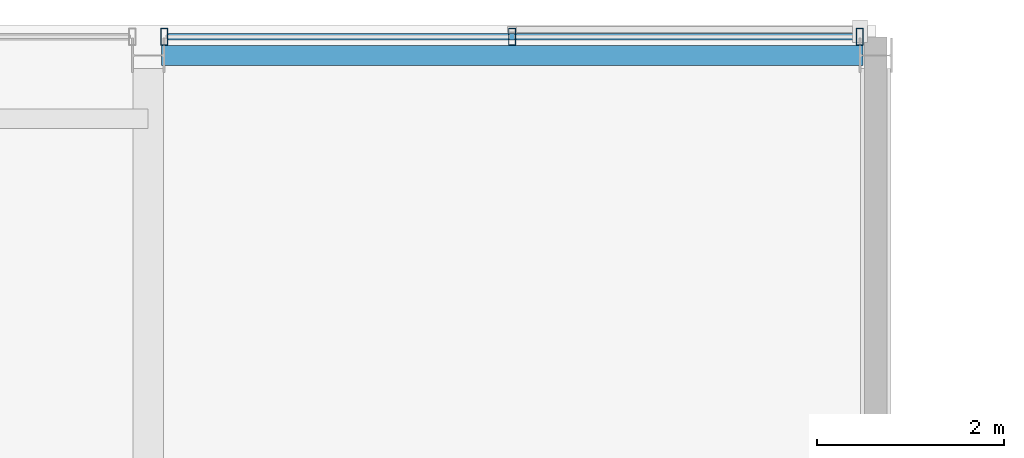
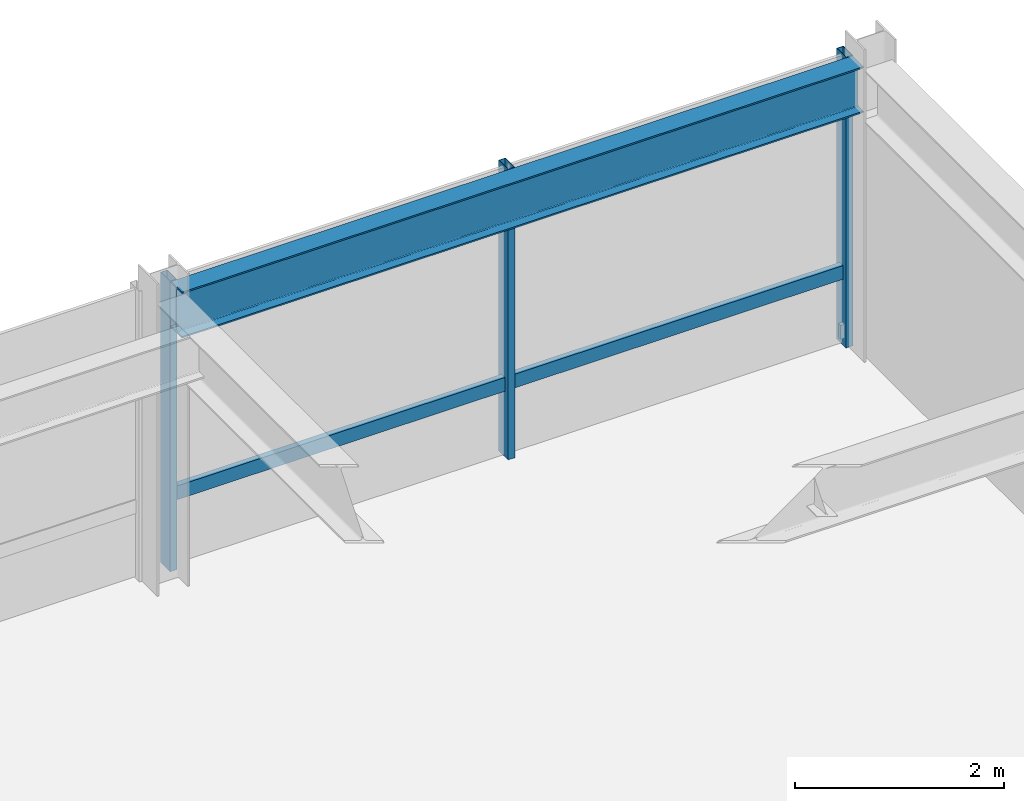
# One storey, part 26 of 33: 4 members, 1 beam, 1 element without a shape of its own.
"""IFC4 building model written with IfcOpenShell, lengths in metres."""

from ifc_helpers import new_model, si_unit, direction, frame, origin, origin_2d, place, context, subcontext, project, spatial, hollow_rectangle, i_section, extrude, material, layer, layer_set, material_profile, profile_set, type_object, element, aggregate, save


model = new_model("IFC4")

# Units and contexts
model_context = context("Model", 3, precision=1e-05, world=origin(), true_north=direction((0.0, 1.0)))
body_context = subcontext(model_context, "Body", "Model", "MODEL_VIEW")
ifc_project = project(units=[si_unit("LENGTHUNIT", "METRE"), si_unit("AREAUNIT", "SQUARE_METRE"), si_unit("VOLUMEUNIT", "CUBIC_METRE"), si_unit("PLANEANGLEUNIT", "RADIAN"), si_unit("MASSUNIT", "GRAM", prefix="KILO")], contexts=[model_context])

# Site, building, storey
site_placement = place(None, origin())
site = spatial("IfcSite", under=ifc_project, at=site_placement, CompositionType="ELEMENT")
building_placement = place(site_placement, origin())
building = spatial("IfcBuilding", under=site, at=building_placement, Name="Drelvath Grand Hotel", CompositionType="ELEMENT")
storey_placement = place(building_placement, frame((0.0, 0.0, 283.25)))
storey = spatial("IfcBuildingStorey", under=building, at=storey_placement, Name="L74", CompositionType="ELEMENT", Elevation=283.25)

# Curtain wall, members
ifc_material_1 = material(Name="Platinum-Mist Anodised Aluminium Frame", Category="aluminium")
ifc_layer = layer(ifc_material_1, 0.199951171875)
ifc_layer_set = layer_set([ifc_layer], Name="Platinum-Mist Anodised Aluminium Frame")
curtain_wall_type = type_object("IfcCurtainWallType", Name="Stick Curtain Wall CW-05 Platinum Mist High-Rise", PredefinedType="NOTDEFINED", material=ifc_layer_set)
curtain_wall_placement = place(storey_placement, origin())
curtain_wall = element("IfcCurtainWall", 1, at=curtain_wall_placement, inside=storey, type_object=curtain_wall_type, Name="L74 CW-05 Curtain Wall CW05-L74-NE2", PredefinedType="NOTDEFINED")
ifc_material_profile_1 = material_profile(ifc_material_1, hollow_rectangle(XDim=0.06494140625, YDim=0.159912109375, WallThickness=0.00390625, at=origin_2d()), Name="HSS160X65X4")
ifc_profile_set_1 = profile_set([ifc_material_profile_1], Name="Platinum-Mist Anodised Aluminium Frame")
member_type_1 = type_object("IfcMemberType", Name="Curtain Wall Horizontal Transom CW-05 HSS160X65X4", PredefinedType="USERDEFINED", material=ifc_profile_set_1)
member_1_placement = place(storey_placement, frame((8.610107421875, 49.080078125, 0.847412109375), z_axis=(1.0, 0.0, 0.0), x_axis=(0.0, 1.0, 0.0)))
member_1 = element("IfcMember", 2, at=member_1_placement, type_object=member_type_1, Name="CW05-L74-NE2 Sill Transom", ObjectType="TRANSOM", PredefinedType="USERDEFINED", context=body_context, shape_type="SweptSolid", body=[
    extrude(hollow_rectangle(XDim=0.06494140625, YDim=0.159912109375, WallThickness=0.00390625, at=origin_2d()), origin(), (0.0, 0.0, 1.0), 7.3798828125),
])
ifc_material_profile_2 = material_profile(ifc_material_1, hollow_rectangle(XDim=0.074951171875, YDim=0.179931640625, WallThickness=0.0048828125, at=origin_2d()), Name="HSS180X75X5")
ifc_profile_set_2 = profile_set([ifc_material_profile_2], Name="Platinum-Mist Anodised Aluminium Frame")
member_type_2 = type_object("IfcMemberType", Name="Curtain Wall Vertical Mullion CW-05 HSS180X75X5", PredefinedType="MULLION", material=ifc_profile_set_2)
member_2_placement = place(storey_placement, frame((8.570068359375, 49.080078125, 0.0), z_axis=(0.0, 0.0, 1.0), x_axis=(1.0, 0.0, 0.0)))
member_2 = element("IfcMember", 3, at=member_2_placement, type_object=member_type_2, Name="CW05-L74-NE2 Mullion 1", PredefinedType="MULLION", context=body_context, shape_type="SweptSolid", body=[
    extrude(hollow_rectangle(XDim=0.074951171875, YDim=0.179931640625, WallThickness=0.0048828125, at=origin_2d()), origin(), (0.0, 0.0, 1.0), 3.389892578125),
])
member_3_placement = place(storey_placement, frame((12.300048828125, 49.080078125, 0.0), z_axis=(0.0, 0.0, 1.0), x_axis=(1.0, 0.0, 0.0)))
member_3 = element("IfcMember", 4, at=member_3_placement, type_object=member_type_2, Name="CW05-L74-NE2 Mullion 2", PredefinedType="MULLION", context=body_context, shape_type="SweptSolid", body=[
    extrude(hollow_rectangle(XDim=0.074951171875, YDim=0.179931640625, WallThickness=0.0048828125, at=origin_2d()), origin(), (0.0, 0.0, 1.0), 3.389892578125),
])
member_4_placement = place(storey_placement, frame((16.02978515625, 49.080078125, 0.0), z_axis=(0.0, 0.0, 1.0), x_axis=(1.0, 0.0, 0.0)))
member_4 = element("IfcMember", 5, at=member_4_placement, type_object=member_type_2, Name="CW05-L74-NE2 Mullion 3", PredefinedType="MULLION", context=body_context, shape_type="SweptSolid", body=[
    extrude(hollow_rectangle(XDim=0.074951171875, YDim=0.179931640625, WallThickness=0.0048828125, at=origin_2d()), origin(), (0.0, 0.0, 1.0), 3.389892578125),
])
aggregate(curtain_wall, [member_2, member_3, member_4, member_1])

# Beam
ifc_material_2 = material(Name="Steel ASTM A992 Gr 50", Category="steel")
ifc_material_profile_3 = material_profile(ifc_material_2, i_section(OverallWidth=0.210205078125, OverallDepth=0.53662109375, WebThickness=0.010986328125, FlangeThickness=0.017333984375, FilletRadius=0.01806640625, at=origin_2d()), Name="W21X68")
ifc_profile_set_3 = profile_set([ifc_material_profile_3], Name="Steel ASTM A992 Gr 50")
beam_type = type_object("IfcBeamType", Name="Perimeter Spandrel Beam W21X68", PredefinedType="SPANDREL", material=ifc_profile_set_3)
beam_placement = place(storey_placement, frame((8.5400390625, 48.8798828125, 3.12158203125), z_axis=(1.0, 0.0, 0.0), x_axis=(0.0, 1.0, 0.0)))
element("IfcBeam", 6, at=beam_placement, inside=storey, type_object=beam_type, Name="L74 Spandrel North E", PredefinedType="SPANDREL", context=body_context, shape_type="SweptSolid", body=[
    extrude(i_section(OverallWidth=0.210205078125, OverallDepth=0.53662109375, WebThickness=0.010986328125, FlangeThickness=0.017333984375, FilletRadius=0.01806640625, at=origin_2d()), origin(), (0.0, 0.0, 1.0), 7.52001953125),
])

save(model, "model.ifc")
